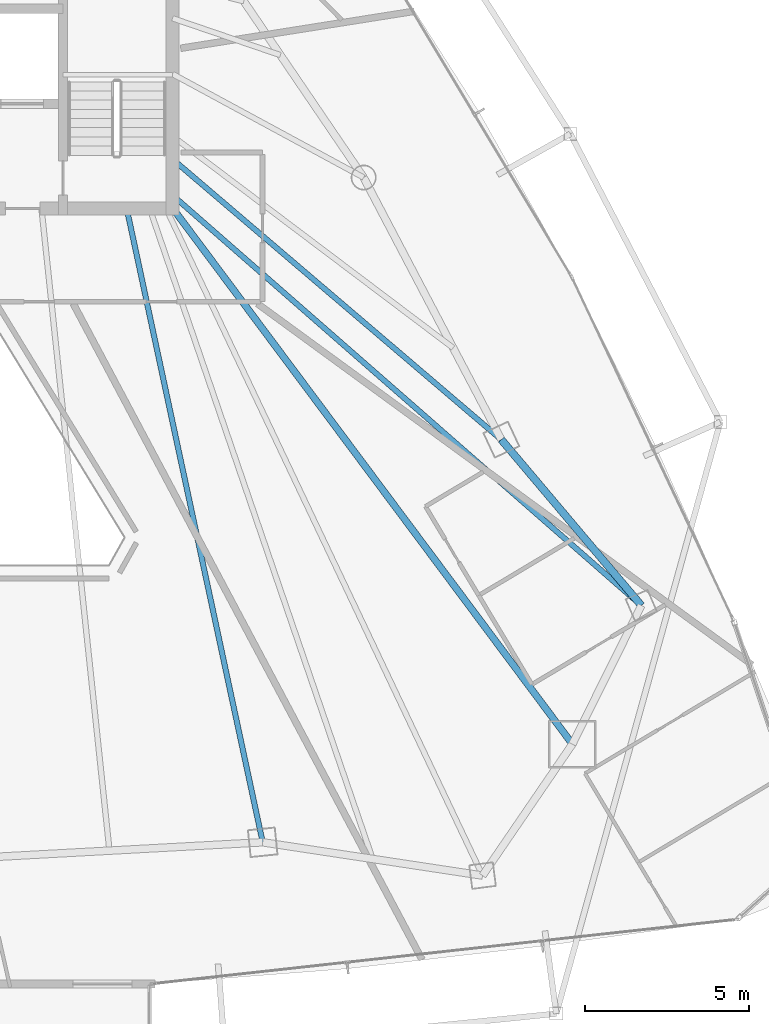
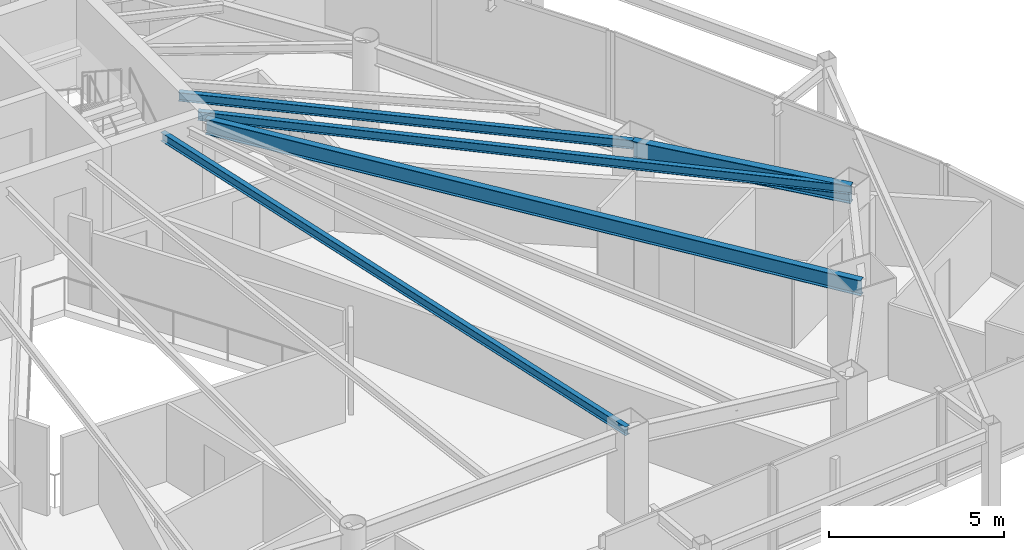
# One storey, part 15 of 33: 5 beams.
"""IFC4 building model written with IfcOpenShell, lengths in metres."""

from ifc_helpers import new_model, si_unit, direction, frame, origin, origin_2d, place, context, subcontext, project, spatial, i_section, extrude, material, material_profile, profile_set, type_object, element, save


model = new_model("IFC4")

# Units and contexts
model_context = context("Model", 3, precision=1e-05, world=origin(), true_north=direction((0.0, 1.0)))
body_context = subcontext(model_context, "Body", "Model", "MODEL_VIEW")
ifc_project = project(units=[si_unit("LENGTHUNIT", "METRE"), si_unit("AREAUNIT", "SQUARE_METRE"), si_unit("VOLUMEUNIT", "CUBIC_METRE"), si_unit("PLANEANGLEUNIT", "RADIAN"), si_unit("MASSUNIT", "GRAM", prefix="KILO")], contexts=[model_context])

# Site, building, storey
site_placement = place(None, origin())
site = spatial("IfcSite", under=ifc_project, at=site_placement, CompositionType="ELEMENT")
building_placement = place(site_placement, origin())
building = spatial("IfcBuilding", under=site, at=building_placement, Name="Orvanel Arch Residences", CompositionType="ELEMENT")
storey_placement = place(building_placement, frame((0.0, 0.0, 116.60009765625)))
storey = spatial("IfcBuildingStorey", under=building, at=storey_placement, Name="L32", CompositionType="ELEMENT", Elevation=116.60009765625)

# Beams
ifc_material = material(Name="Structural steel AS/NZS 3679.1 Grade 300 (300 MPa)", Category="steel")
ifc_material_profile_1 = material_profile(ifc_material, i_section(OverallWidth=0.208984375, OverallDepth=0.532958984375, WebThickness=0.01025390625, FlangeThickness=0.015625, at=origin_2d()), Name="530UB92.4")
ifc_profile_set_1 = profile_set([ifc_material_profile_1], Name="Structural steel AS/NZS 3679.1 Grade 300 (300 MPa)")
beam_type_1 = type_object("IfcBeamType", Name="BG-530UB", PredefinedType="BEAM", material=ifc_profile_set_1)
beam_1_placement = place(storey_placement, frame((39.625, 26.675048828125, 2.7939453125), z_axis=(0.597893733742, -0.801575375839, 0.0), x_axis=(0.801575375839, 0.597893733742, 0.0)))
element("IfcBeam", 1, at=beam_1_placement, inside=storey, type_object=beam_type_1, Name="L32 South-East Radial Girder", PredefinedType="BEAM", context=body_context, shape_type="SweptSolid", body=[
    extrude(i_section(OverallWidth=0.208984375, OverallDepth=0.532958984375, WebThickness=0.01025390625, FlangeThickness=0.015625, at=origin_2d()), origin(), (0.0, 0.0, 1.0), 20.36474609375),
])
ifc_material_profile_2 = material_profile(ifc_material, i_section(OverallWidth=0.1650390625, OverallDepth=0.303955078125, WebThickness=0.006103515625, FlangeThickness=0.01025390625, at=origin_2d()), Name="310UB40.4")
ifc_profile_set_2 = profile_set([ifc_material_profile_2], Name="Structural steel AS/NZS 3679.1 Grade 300 (300 MPa)")
beam_type_2 = type_object("IfcBeamType", Name="BJ-310UB", PredefinedType="JOIST", material=ifc_profile_set_2)
beam_2_placement = place(storey_placement, frame((39.60009765625, 28.199951171875, 2.907958984375), z_axis=(0.760821315761, -0.648961420644, 0.0), x_axis=(0.648961420644, 0.760821315761, 0.0)))
element("IfcBeam", 2, at=beam_2_placement, inside=storey, type_object=beam_type_2, Name="L32 E Wing Floor Joist", PredefinedType="JOIST", context=body_context, shape_type="SweptSolid", body=[
    extrude(i_section(OverallWidth=0.1650390625, OverallDepth=0.303955078125, WebThickness=0.006103515625, FlangeThickness=0.01025390625, at=origin_2d()), origin(), (0.0, 0.0, 1.0), 13.18701171875),
])
beam_3_placement = place(storey_placement, frame((38.199951171875, 26.699951171875, 2.907958984375), z_axis=(0.209808012425, -0.977742603103, 0.0), x_axis=(0.977742603103, 0.209808012425, 0.0)))
element("IfcBeam", 3, at=beam_3_placement, inside=storey, type_object=beam_type_2, Name="L32 SE Wing Floor Joist", PredefinedType="JOIST", context=body_context, shape_type="SweptSolid", body=[
    extrude(i_section(OverallWidth=0.1650390625, OverallDepth=0.303955078125, WebThickness=0.006103515625, FlangeThickness=0.01025390625, at=origin_2d()), origin(), (0.0, 0.0, 1.0), 19.785400390625),
])
beam_4_placement = place(storey_placement, frame((39.60009765625, 27.10009765625, 2.907958984375), z_axis=(0.752493154183, -0.658600070534, 0.0), x_axis=(0.658600070534, 0.752493154183, 0.0)))
element("IfcBeam", 4, at=beam_4_placement, inside=storey, type_object=beam_type_2, Name="L32 ME Wing Floor Joist", PredefinedType="JOIST", context=body_context, shape_type="SweptSolid", body=[
    extrude(i_section(OverallWidth=0.1650390625, OverallDepth=0.303955078125, WebThickness=0.006103515625, FlangeThickness=0.01025390625, at=origin_2d()), origin(), (0.0, 0.0, 1.0), 19.010009765625),
])
ifc_material_profile_3 = material_profile(ifc_material, i_section(OverallWidth=0.22900390625, OverallDepth=0.612060546875, WebThickness=0.011962890625, FlangeThickness=0.01953125, at=origin_2d()), Name="610UB125")
ifc_profile_set_3 = profile_set([ifc_material_profile_3], Name="Structural steel AS/NZS 3679.1 Grade 300 (300 MPa)")
beam_type_3 = type_object("IfcBeamType", Name="SP-610UB", PredefinedType="SPANDREL", material=ifc_profile_set_3)
beam_5_placement = place(storey_placement, frame((53.905029296875, 14.580078125, 2.75390625), z_axis=(-0.644950329775, 0.764224490659, 0.0), x_axis=(-0.764224490659, -0.644950329775, 0.0)))
element("IfcBeam", 5, at=beam_5_placement, inside=storey, type_object=beam_type_3, Name="L32 Perimeter Spandrel Beam 10", PredefinedType="SPANDREL", context=body_context, shape_type="SweptSolid", body=[
    extrude(i_section(OverallWidth=0.22900390625, OverallDepth=0.612060546875, WebThickness=0.011962890625, FlangeThickness=0.01953125, at=origin_2d()), origin(), (0.0, 0.0, 1.0), 6.623779296875),
])

save(model, "model.ifc")
